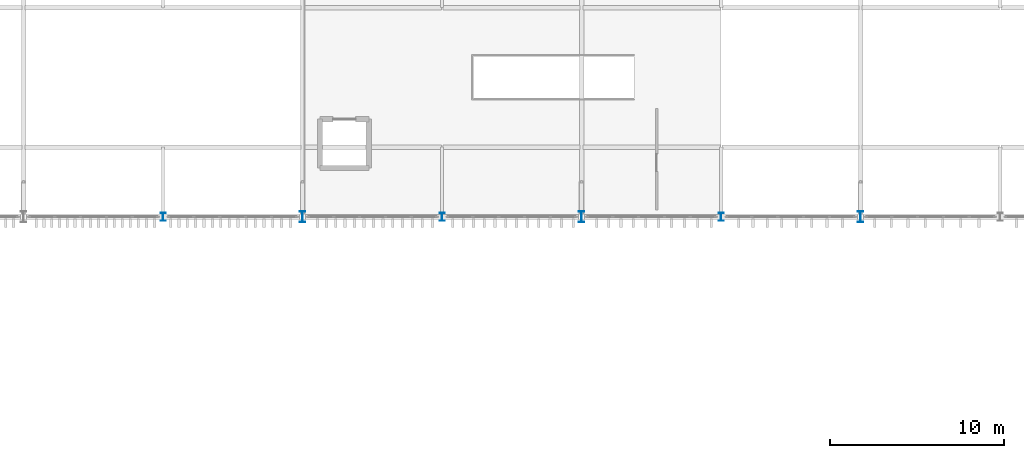
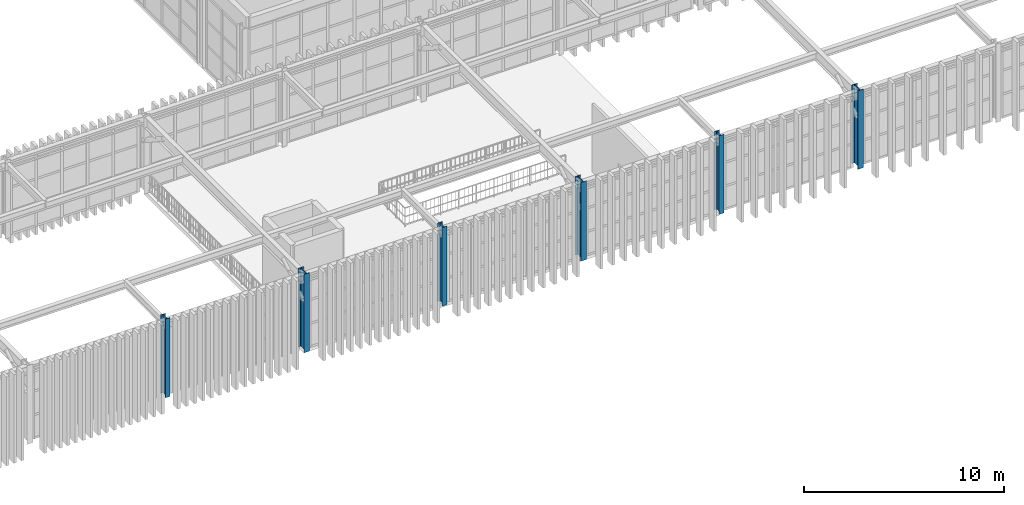
# One storey, part 4 of 61: 6 columns.
"""IFC4 building model written with IfcOpenShell, lengths in metres."""

from ifc_helpers import new_model, si_unit, direction, frame, origin, origin_2d, place, context, subcontext, project, spatial, i_section, extrude, material, material_profile, profile_set, type_object, element, save


model = new_model("IFC4")

# Units and contexts
model_context = context("Model", 3, precision=1e-05, world=origin(), true_north=direction((0.0, 1.0)))
body_context = subcontext(model_context, "Body", "Model", "MODEL_VIEW")
ifc_project = project(units=[si_unit("LENGTHUNIT", "METRE"), si_unit("AREAUNIT", "SQUARE_METRE"), si_unit("VOLUMEUNIT", "CUBIC_METRE"), si_unit("PLANEANGLEUNIT", "RADIAN"), si_unit("MASSUNIT", "GRAM", prefix="KILO")], contexts=[model_context])

# Site, building, storey
site_placement = place(None, origin())
site = spatial("IfcSite", under=ifc_project, at=site_placement, CompositionType="ELEMENT")
building_placement = place(site_placement, origin())
building = spatial("IfcBuilding", under=site, at=building_placement, Name="Serraluz Foothill Cableway Terminal", CompositionType="ELEMENT")
storey_placement = place(building_placement, frame((0.0, 0.0, 15.0)))
storey = spatial("IfcBuildingStorey", under=building, at=storey_placement, Name="L03", CompositionType="ELEMENT", Elevation=15.0)

# Columns
ifc_material = material(Name="Steel ASTM A992 Grade 50", Category="steel")
ifc_material_profile_1 = material_profile(ifc_material, i_section(OverallWidth=0.282958984375, OverallDepth=0.471923828125, WebThickness=0.013671875, FlangeThickness=0.022216796875, FilletRadius=0.014892578125, at=origin_2d()), Name="W18X97")
ifc_profile_set_1 = profile_set([ifc_material_profile_1], Name="Steel ASTM A992 Grade 50")
column_type_1 = type_object("IfcColumnType", Name="TYP-COL-W18X97", PredefinedType="COLUMN", material=ifc_profile_set_1)
for number, where, z_axis, x_axis, name in (
    (1, (64.0, 56.0, 0.0), (0.0, 0.0, 1.0), (1.0, 0.0, 0.0), "Column COL-V1-S-64-L03"),
    (2, (80.0, 56.0, 0.0), (0.0, 0.0, 1.0), (1.0, 0.0, 0.0), "Column COL-V1-S-80-L03"),
    (3, (96.0, 56.0, 0.0), (0.0, 0.0, 1.0), (1.0, 0.0, 0.0), "Column COL-V1-S-96-L03"),
):
    element("IfcColumn", number, at=place(storey_placement, frame(where, z_axis=z_axis, x_axis=x_axis)), inside=storey, type_object=column_type_1, Name=name, PredefinedType="COLUMN", context=body_context, shape_type="SweptSolid", body=[
        extrude(i_section(OverallWidth=0.282958984375, OverallDepth=0.471923828125, WebThickness=0.013671875, FlangeThickness=0.022216796875, FilletRadius=0.014892578125, at=origin_2d()), origin(), (0.0, 0.0, 1.0), 4.800048828125),
    ])
ifc_material_profile_2 = material_profile(ifc_material, i_section(OverallWidth=0.324951171875, OverallDepth=0.615966796875, WebThickness=0.013916015625, FlangeThickness=0.021484375, FilletRadius=0.01806640625, at=origin_2d()), Name="W24X117")
ifc_profile_set_2 = profile_set([ifc_material_profile_2], Name="Steel ASTM A992 Grade 50")
column_type_2 = type_object("IfcColumnType", Name="TYP-COL-W24X117", PredefinedType="COLUMN", material=ifc_profile_set_2)
for number, where, z_axis, x_axis, name in (
    (4, (72.0, 56.0, 0.0), (0.0, 0.0, 1.0), (1.0, 0.0, 0.0), "Column COL-V1-S-72-L03"),
    (5, (88.0, 56.0, 0.0), (0.0, 0.0, 1.0), (1.0, 0.0, 0.0), "Column COL-V1-S-88-L03"),
    (6, (104.0, 56.0, 0.0), (0.0, 0.0, 1.0), (1.0, 0.0, 0.0), "Column COL-V1-S-104-L03"),
):
    element("IfcColumn", number, at=place(storey_placement, frame(where, z_axis=z_axis, x_axis=x_axis)), inside=storey, type_object=column_type_2, Name=name, PredefinedType="COLUMN", context=body_context, shape_type="SweptSolid", body=[
        extrude(i_section(OverallWidth=0.324951171875, OverallDepth=0.615966796875, WebThickness=0.013916015625, FlangeThickness=0.021484375, FilletRadius=0.01806640625, at=origin_2d()), origin(), (0.0, 0.0, 1.0), 4.800048828125),
    ])

save(model, "model.ifc")
